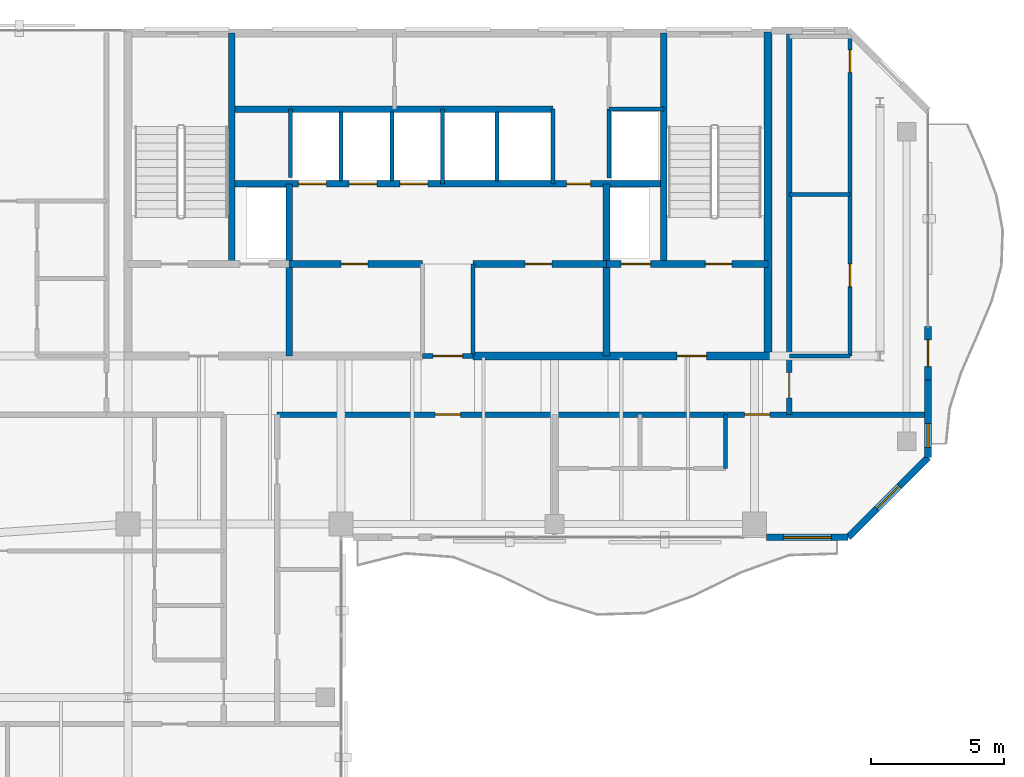
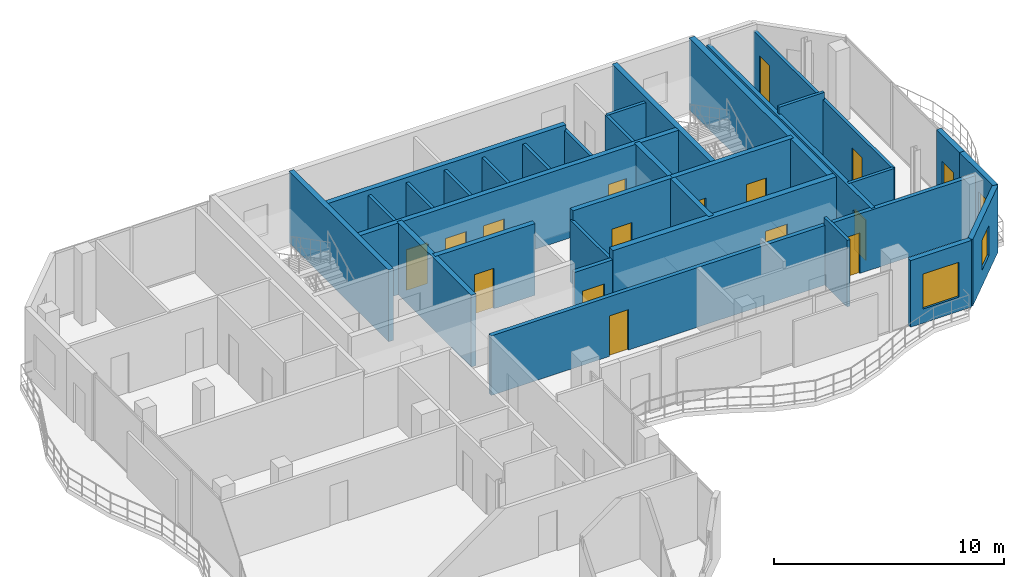
# One storey, part 19 of 22: 31 walls, 16 doors, 3 windows, 19 openings.
"""IFC4 building model written with IfcOpenShell, lengths in metres."""

from ifc_helpers import new_model, si_unit, direction, frame, frame_2d, origin, place, context, subcontext, project, spatial, rectangle, extrude, material, layer, layer_set, type_object, element, fill, save


model = new_model("IFC4")

# Units and contexts
model_context = context("Model", 3, precision=1e-05, world=origin(), true_north=direction((0.0, 1.0)))
body_context = subcontext(model_context, "Body", "Model", "MODEL_VIEW")
ifc_project = project(units=[si_unit("LENGTHUNIT", "METRE"), si_unit("AREAUNIT", "SQUARE_METRE"), si_unit("VOLUMEUNIT", "CUBIC_METRE"), si_unit("PLANEANGLEUNIT", "RADIAN"), si_unit("MASSUNIT", "GRAM", prefix="KILO")], contexts=[model_context])

# Site, building, storey
site_placement = place(None, origin())
site = spatial("IfcSite", under=ifc_project, at=site_placement, CompositionType="ELEMENT")
building_placement = place(site_placement, origin())
building = spatial("IfcBuilding", under=site, at=building_placement, Name="Catumbela Crestline Tower", CompositionType="ELEMENT")
storey_placement = place(building_placement, frame((0.0, 0.0, 260.2)))
storey = spatial("IfcBuildingStorey", under=building, at=storey_placement, Name="L67", CompositionType="ELEMENT", Elevation=260.2)

# Walls
ifc_material_1 = material(Name="Concrete C50/60", Category="concrete")
ifc_layer_1 = layer(ifc_material_1, 0.25, Name="Concrete C50/60")
ifc_layer_set_1 = layer_set([ifc_layer_1], Name="Concrete C50/60")
wall_type_1 = type_object("IfcWallType", Name="CW-250D", PredefinedType="SHEAR", material=ifc_layer_set_1)
for number, where, z_axis, x_axis, name in (
    (1, (19.9, 34.25, 0.0), (0.0, 0.0, 1.0), (0.0, 1.0, 0.0), "L67 Structural Core Shear Wall WWEB"),
    (2, (36.1, 34.25, 0.0), (0.0, 0.0, 1.0), (0.0, 1.0, 0.0), "L67 Structural Core Shear Wall EWEB"),
):
    element("IfcWall", number, at=place(storey_placement, frame(where, z_axis=z_axis, x_axis=x_axis)), inside=storey, type_object=wall_type_1, Name=name, PredefinedType="SHEAR", context=body_context, shape_type="SweptSolid", body=[
        extrude(rectangle(XDim=8.65, YDim=0.25, at=frame_2d((4.325, 0.0))), origin(), (0.0, 0.0, 1.0), 3.8),
    ])
for number, where, z_axis, x_axis, name in (
    (3, (22.05, 30.8, 0.0), (0.0, 0.0, 1.0), (0.0, 1.0, 0.0), "L67 Structural Core Shear Wall FFW"),
    (4, (33.95, 30.8, 0.0), (0.0, 0.0, 1.0), (0.0, 1.0, 0.0), "L67 Structural Core Shear Wall FFE"),
):
    element("IfcWall", number, at=place(storey_placement, frame(where, z_axis=z_axis, x_axis=x_axis)), inside=storey, type_object=wall_type_1, Name=name, PredefinedType="SHEAR", context=body_context, shape_type="SweptSolid", body=[
        extrude(rectangle(XDim=6.45, YDim=0.25, at=frame_2d((3.225, 0.0))), origin(), (0.0, 0.0, 1.0), 3.8),
    ])

# Wall, openings, doors
wall_1_placement = place(storey_placement, frame((33.95, 34.25, 0.0), z_axis=(0.0, 0.0, 1.0), x_axis=(1.0, 0.0, 0.0)))
wall_1 = element("IfcWall", 5, at=wall_1_placement, inside=storey, type_object=wall_type_1, Name="L67 Structural Core Shear Wall ST2S", PredefinedType="SHEAR", context=body_context, shape_type="SweptSolid", body=[
    extrude(rectangle(XDim=6.05, YDim=0.25, at=frame_2d((3.025, 0.0))), origin(), (0.0, 0.0, 1.0), 3.8),
])
opening_1_placement = place(wall_1_placement, frame((3.7, 0.0, 0.0)))
opening_1 = element("IfcOpeningElement", 6, at=opening_1_placement, cuts=wall_1, Name="Opening DF9-100", PredefinedType="OPENING", context=body_context, shape_type="SweptSolid", body=[
    extrude(rectangle(XDim=1.0, YDim=2.15, at=frame_2d((0.5, 1.075))), frame((0.0, 0.135, 0.0), z_axis=(0.0, -1.0, 0.0), x_axis=(1.0, 0.0, 0.0)), (0.0, 0.0, 1.0), 0.27),
])
opening_2_placement = place(wall_1_placement, frame((0.55, 0.0, 0.0)))
opening_2 = element("IfcOpeningElement", 7, at=opening_2_placement, cuts=wall_1, Name="Opening LD-110", PredefinedType="OPENING", context=body_context, shape_type="SweptSolid", body=[
    extrude(rectangle(XDim=1.1, YDim=2.15, at=frame_2d((0.55, 1.075))), frame((0.0, 0.135, 0.0), z_axis=(0.0, -1.0, 0.0), x_axis=(1.0, 0.0, 0.0)), (0.0, 0.0, 1.0), 0.27),
])
ifc_material_2 = material(Name="Stainless steel EN 1.4401", Category="steel")
door_type_1 = type_object("IfcDoorType", Name="DF9-100", OperationType="NOTDEFINED", PredefinedType="DOOR", material=ifc_material_2)
door_1_placement = place(opening_1_placement, origin())
door_1 = element("IfcDoor", 8, at=door_1_placement, inside=storey, type_object=door_type_1, Name="L67 Interior Door DR-L67-ST02", OperationType="SINGLE_SWING_RIGHT", OverallHeight=2.15, OverallWidth=1.0, PredefinedType="DOOR", context=body_context, shape_type="SweptSolid", body=[
    extrude(rectangle(XDim=1.0, YDim=2.15, at=frame_2d((0.5, 1.075))), frame((0.0, 0.025, 0.0), z_axis=(0.0, -1.0, 0.0), x_axis=(1.0, 0.0, 0.0)), (0.0, 0.0, 1.0), 0.05),
])
fill(opening_1, door_1)
door_type_2 = type_object("IfcDoorType", Name="LD-110", OperationType="NOTDEFINED", PredefinedType="DOOR", material=ifc_material_2)
door_2_placement = place(opening_2_placement, origin())
door_2 = element("IfcDoor", 9, at=door_2_placement, inside=storey, type_object=door_type_2, Name="L67 Lift Landing Sliding Door FL-02", OperationType="DOUBLE_DOOR_SLIDING", OverallHeight=2.15, OverallWidth=1.1, PredefinedType="DOOR", context=body_context, shape_type="SweptSolid", body=[
    extrude(rectangle(XDim=1.1, YDim=2.15, at=frame_2d((0.55, 1.075))), frame((0.0, 0.025, 0.0), z_axis=(0.0, -1.0, 0.0), x_axis=(1.0, 0.0, 0.0)), (0.0, 0.0, 1.0), 0.05),
])
fill(opening_2, door_2)

# Wall, opening, door
wall_2_placement = place(storey_placement, frame((22.05, 34.25, 0.0), z_axis=(0.0, 0.0, 1.0), x_axis=(1.0, 0.0, 0.0)))
wall_2 = element("IfcWall", 10, at=wall_2_placement, inside=storey, type_object=wall_type_1, Name="L67 Structural Core Shear Wall LIFTS-W", PredefinedType="SHEAR", context=body_context, shape_type="SweptSolid", body=[
    extrude(rectangle(XDim=5.0, YDim=0.25, at=frame_2d((2.5, 0.0))), origin(), (0.0, 0.0, 1.0), 3.8),
])
opening_3_placement = place(wall_2_placement, frame((1.95, 0.0, 0.0)))
opening_3 = element("IfcOpeningElement", 11, at=opening_3_placement, cuts=wall_2, Name="Opening DF9-100", PredefinedType="OPENING", context=body_context, shape_type="SweptSolid", body=[
    extrude(rectangle(XDim=1.0, YDim=2.15, at=frame_2d((0.5, 1.075))), frame((0.0, 0.135, 0.0), z_axis=(0.0, -1.0, 0.0), x_axis=(1.0, 0.0, 0.0)), (0.0, 0.0, 1.0), 0.27),
])
door_3_placement = place(opening_3_placement, origin())
door_3 = element("IfcDoor", 12, at=door_3_placement, inside=storey, type_object=door_type_1, Name="L67 Interior Door DR-L67-RECL1", OperationType="SINGLE_SWING_LEFT", OverallHeight=2.15, OverallWidth=1.0, PredefinedType="DOOR", context=body_context, shape_type="SweptSolid", body=[
    extrude(rectangle(XDim=1.0, YDim=2.15, at=frame_2d((0.5, 1.075))), frame((0.0, 0.025, 0.0), z_axis=(0.0, -1.0, 0.0), x_axis=(1.0, 0.0, 0.0)), (0.0, 0.0, 1.0), 0.05),
])
fill(opening_3, door_3)

wall_3_placement = place(storey_placement, frame((28.95, 34.25, 0.0), z_axis=(0.0, 0.0, 1.0), x_axis=(1.0, 0.0, 0.0)))
wall_3 = element("IfcWall", 13, at=wall_3_placement, inside=storey, type_object=wall_type_1, Name="L67 Structural Core Shear Wall LIFTS-E", PredefinedType="SHEAR", context=body_context, shape_type="SweptSolid", body=[
    extrude(rectangle(XDim=5.0, YDim=0.25, at=frame_2d((2.5, 0.0))), origin(), (0.0, 0.0, 1.0), 3.8),
])
opening_4_placement = place(wall_3_placement, frame((1.95, 0.0, 0.0)))
opening_4 = element("IfcOpeningElement", 14, at=opening_4_placement, cuts=wall_3, Name="Opening DF9-100", PredefinedType="OPENING", context=body_context, shape_type="SweptSolid", body=[
    extrude(rectangle(XDim=1.0, YDim=2.15, at=frame_2d((0.5, 1.075))), frame((0.0, 0.135, 0.0), z_axis=(0.0, -1.0, 0.0), x_axis=(1.0, 0.0, 0.0)), (0.0, 0.0, 1.0), 0.27),
])
door_4_placement = place(opening_4_placement, origin())
door_4 = element("IfcDoor", 15, at=door_4_placement, inside=storey, type_object=door_type_1, Name="L67 Interior Door DR-L67-RECL2", OperationType="SINGLE_SWING_RIGHT", OverallHeight=2.15, OverallWidth=1.0, PredefinedType="DOOR", context=body_context, shape_type="SweptSolid", body=[
    extrude(rectangle(XDim=1.0, YDim=2.15, at=frame_2d((0.5, 1.075))), frame((0.0, 0.025, 0.0), z_axis=(0.0, -1.0, 0.0), x_axis=(1.0, 0.0, 0.0)), (0.0, 0.0, 1.0), 0.05),
])
fill(opening_4, door_4)

# Wall, openings, doors
wall_4_placement = place(storey_placement, frame((19.9, 37.25, 0.0), z_axis=(0.0, 0.0, 1.0), x_axis=(1.0, 0.0, 0.0)))
wall_4 = element("IfcWall", 16, at=wall_4_placement, inside=storey, type_object=wall_type_1, Name="L67 Structural Core Shear Wall LIFTN", PredefinedType="SHEAR", context=body_context, shape_type="SweptSolid", body=[
    extrude(rectangle(XDim=16.2, YDim=0.25, at=frame_2d((8.1, 0.0))), origin(), (0.0, 0.0, 1.0), 3.8),
])
opening_5_placement = place(wall_4_placement, frame((12.55, 0.0, 0.0)))
opening_5 = element("IfcOpeningElement", 17, at=opening_5_placement, cuts=wall_4, Name="Opening DF9-090", PredefinedType="OPENING", context=body_context, shape_type="SweptSolid", body=[
    extrude(rectangle(XDim=0.9, YDim=2.15, at=frame_2d((0.45, 1.075))), frame((0.0, 0.135, 0.0), z_axis=(0.0, -1.0, 0.0), x_axis=(1.0, 0.0, 0.0)), (0.0, 0.0, 1.0), 0.27),
])
opening_6_placement = place(wall_4_placement, frame((2.5, 0.0, 0.0)))
opening_6 = element("IfcOpeningElement", 18, at=opening_6_placement, cuts=wall_4, Name="Opening LD-105", PredefinedType="OPENING", context=body_context, shape_type="SweptSolid", body=[
    extrude(rectangle(XDim=1.05, YDim=2.15, at=frame_2d((0.525, 1.075))), frame((0.0, 0.135, 0.0), z_axis=(0.0, -1.0, 0.0), x_axis=(1.0, 0.0, 0.0)), (0.0, 0.0, 1.0), 0.27),
])
opening_7_placement = place(wall_4_placement, frame((4.4, 0.0, 0.0)))
opening_7 = element("IfcOpeningElement", 19, at=opening_7_placement, cuts=wall_4, Name="Opening LD-105", PredefinedType="OPENING", context=body_context, shape_type="SweptSolid", body=[
    extrude(rectangle(XDim=1.05, YDim=2.15, at=frame_2d((0.525, 1.075))), frame((0.0, 0.135, 0.0), z_axis=(0.0, -1.0, 0.0), x_axis=(1.0, 0.0, 0.0)), (0.0, 0.0, 1.0), 0.27),
])
opening_8_placement = place(wall_4_placement, frame((6.3, 0.0, 0.0)))
opening_8 = element("IfcOpeningElement", 20, at=opening_8_placement, cuts=wall_4, Name="Opening LD-105", PredefinedType="OPENING", context=body_context, shape_type="SweptSolid", body=[
    extrude(rectangle(XDim=1.05, YDim=2.15, at=frame_2d((0.525, 1.075))), frame((0.0, 0.135, 0.0), z_axis=(0.0, -1.0, 0.0), x_axis=(1.0, 0.0, 0.0)), (0.0, 0.0, 1.0), 0.27),
])
door_type_3 = type_object("IfcDoorType", Name="DF9-090", OperationType="NOTDEFINED", PredefinedType="DOOR", material=ifc_material_2)
door_5_placement = place(opening_5_placement, origin())
door_5 = element("IfcDoor", 21, at=door_5_placement, inside=storey, type_object=door_type_3, Name="L67 Interior Door DR-L67-CPAS1", OperationType="SINGLE_SWING_LEFT", OverallHeight=2.15, OverallWidth=0.9, PredefinedType="DOOR", context=body_context, shape_type="SweptSolid", body=[
    extrude(rectangle(XDim=0.9, YDim=2.15, at=frame_2d((0.45, 1.075))), frame((0.0, 0.025, 0.0), z_axis=(0.0, -1.0, 0.0), x_axis=(1.0, 0.0, 0.0)), (0.0, 0.0, 1.0), 0.05),
])
fill(opening_5, door_5)
door_type_4 = type_object("IfcDoorType", Name="LD-105", OperationType="NOTDEFINED", PredefinedType="DOOR", material=ifc_material_2)
door_6_placement = place(opening_6_placement, origin())
door_6 = element("IfcDoor", 22, at=door_6_placement, inside=storey, type_object=door_type_4, Name="L67 Lift Landing Sliding Door PL-H1", OperationType="DOUBLE_DOOR_SLIDING", OverallHeight=2.15, OverallWidth=1.05, PredefinedType="DOOR", context=body_context, shape_type="SweptSolid", body=[
    extrude(rectangle(XDim=1.05, YDim=2.15, at=frame_2d((0.525, 1.075))), frame((0.0, 0.025, 0.0), z_axis=(0.0, -1.0, 0.0), x_axis=(1.0, 0.0, 0.0)), (0.0, 0.0, 1.0), 0.05),
])
fill(opening_6, door_6)
door_7_placement = place(opening_7_placement, origin())
door_7 = element("IfcDoor", 23, at=door_7_placement, inside=storey, type_object=door_type_4, Name="L67 Lift Landing Sliding Door PL-H2", OperationType="DOUBLE_DOOR_SLIDING", OverallHeight=2.15, OverallWidth=1.05, PredefinedType="DOOR", context=body_context, shape_type="SweptSolid", body=[
    extrude(rectangle(XDim=1.05, YDim=2.15, at=frame_2d((0.525, 1.075))), frame((0.0, 0.025, 0.0), z_axis=(0.0, -1.0, 0.0), x_axis=(1.0, 0.0, 0.0)), (0.0, 0.0, 1.0), 0.05),
])
fill(opening_7, door_7)
door_8_placement = place(opening_8_placement, origin())
door_8 = element("IfcDoor", 24, at=door_8_placement, inside=storey, type_object=door_type_4, Name="L67 Lift Landing Sliding Door PL-H3", OperationType="DOUBLE_DOOR_SLIDING", OverallHeight=2.15, OverallWidth=1.05, PredefinedType="DOOR", context=body_context, shape_type="SweptSolid", body=[
    extrude(rectangle(XDim=1.05, YDim=2.15, at=frame_2d((0.525, 1.075))), frame((0.0, 0.025, 0.0), z_axis=(0.0, -1.0, 0.0), x_axis=(1.0, 0.0, 0.0)), (0.0, 0.0, 1.0), 0.05),
])
fill(opening_8, door_8)

# Walls
wall_5_placement = place(storey_placement, frame((19.9, 40.05, 0.0), z_axis=(0.0, 0.0, 1.0), x_axis=(1.0, 0.0, 0.0)))
element("IfcWall", 25, at=wall_5_placement, inside=storey, type_object=wall_type_1, Name="L67 Structural Core Shear Wall COREN", PredefinedType="SHEAR", context=body_context, shape_type="SweptSolid", body=[
    extrude(rectangle(XDim=12.05, YDim=0.25, at=frame_2d((6.025, 0.0))), origin(), (0.0, 0.0, 1.0), 3.8),
])
ifc_material_3 = material(Name="Concrete C45/55", Category="concrete")
ifc_layer_2 = layer(ifc_material_3, 0.3, Name="Concrete C45/55")
ifc_layer_set_2 = layer_set([ifc_layer_2], Name="Concrete C45/55")
wall_type_2 = type_object("IfcWallType", Name="CW-300C", PredefinedType="SHEAR", material=ifc_layer_set_2)
wall_6_placement = place(storey_placement, frame((40.0, 30.65, 0.0), z_axis=(0.0, 0.0, 1.0), x_axis=(0.0, 1.0, 0.0)))
element("IfcWall", 26, at=wall_6_placement, inside=storey, type_object=wall_type_2, Name="L67 Structural Core Shear Wall E", PredefinedType="SHEAR", context=body_context, shape_type="SweptSolid", body=[
    extrude(rectangle(XDim=12.3, YDim=0.3, at=frame_2d((6.15, 0.0))), origin(), (0.0, 0.0, 1.0), 3.8),
])

# Wall, opening, door
wall_7_placement = place(storey_placement, frame((28.95, 30.8, 0.0), z_axis=(0.0, 0.0, 1.0), x_axis=(1.0, 0.0, 0.0)))
wall_7 = element("IfcWall", 27, at=wall_7_placement, inside=storey, type_object=wall_type_2, Name="L67 Structural Core Shear Wall SE", PredefinedType="SHEAR", context=body_context, shape_type="SweptSolid", body=[
    extrude(rectangle(XDim=11.2, YDim=0.3, at=frame_2d((5.6, 0.0))), origin(), (0.0, 0.0, 1.0), 3.8),
])
opening_9_placement = place(wall_7_placement, frame((7.65, 0.0, 0.0)))
opening_9 = element("IfcOpeningElement", 28, at=opening_9_placement, cuts=wall_7, Name="Opening DF9-110", PredefinedType="OPENING", context=body_context, shape_type="SweptSolid", body=[
    extrude(rectangle(XDim=1.1, YDim=2.15, at=frame_2d((0.55, 1.075))), frame((0.0, 0.16, 0.0), z_axis=(0.0, -1.0, 0.0), x_axis=(1.0, 0.0, 0.0)), (0.0, 0.0, 1.0), 0.32),
])
door_type_5 = type_object("IfcDoorType", Name="DF9-110", OperationType="NOTDEFINED", PredefinedType="DOOR", material=ifc_material_2)
door_9_placement = place(opening_9_placement, origin())
door_9 = element("IfcDoor", 29, at=door_9_placement, inside=storey, type_object=door_type_5, Name="L67 Interior Door DR-L67-FFE-S", OperationType="SINGLE_SWING_RIGHT", OverallHeight=2.15, OverallWidth=1.1, PredefinedType="DOOR", context=body_context, shape_type="SweptSolid", body=[
    extrude(rectangle(XDim=1.1, YDim=2.15, at=frame_2d((0.55, 1.075))), frame((0.0, 0.025, 0.0), z_axis=(0.0, -1.0, 0.0), x_axis=(1.0, 0.0, 0.0)), (0.0, 0.0, 1.0), 0.05),
])
fill(opening_9, door_9)

ifc_material_4 = material(Name="Acoustic gypsum and mineral-wool partition")
ifc_layer_3 = layer(ifc_material_4, 0.2, Name="Acoustic gypsum and mineral-wool partition")
ifc_layer_set_3 = layer_set([ifc_layer_3], Name="Acoustic gypsum and mineral-wool partition")
wall_type_3 = type_object("IfcWallType", Name="WC-200", PredefinedType="PARTITIONING", material=ifc_layer_set_3)
wall_8_placement = place(storey_placement, frame((27.05, 30.8, 0.0), z_axis=(0.0, 0.0, 1.0), x_axis=(1.0, 0.0, 0.0)))
wall_8 = element("IfcWall", 30, at=wall_8_placement, inside=storey, type_object=wall_type_3, Name="L67 Interior Partition PW-L67-CLOBS", PredefinedType="PARTITIONING", context=body_context, shape_type="SweptSolid", body=[
    extrude(rectangle(XDim=1.9, YDim=0.2, at=frame_2d((0.95, 0.0))), origin(), (0.0, 0.0, 1.0), 3.28),
])
opening_10_placement = place(wall_8_placement, frame((0.4, 0.0, 0.0)))
opening_10 = element("IfcOpeningElement", 31, at=opening_10_placement, cuts=wall_8, Name="Opening DF9-110", PredefinedType="OPENING", context=body_context, shape_type="SweptSolid", body=[
    extrude(rectangle(XDim=1.1, YDim=2.15, at=frame_2d((0.55, 1.075))), frame((0.0, 0.11, 0.0), z_axis=(0.0, -1.0, 0.0), x_axis=(1.0, 0.0, 0.0)), (0.0, 0.0, 1.0), 0.22),
])
door_10_placement = place(opening_10_placement, origin())
door_10 = element("IfcDoor", 32, at=door_10_placement, inside=storey, type_object=door_type_5, Name="L67 Interior Door DR-L67-CLOBS", OperationType="SINGLE_SWING_LEFT", OverallHeight=2.15, OverallWidth=1.1, PredefinedType="DOOR", context=body_context, shape_type="SweptSolid", body=[
    extrude(rectangle(XDim=1.1, YDim=2.15, at=frame_2d((0.55, 1.075))), frame((0.0, 0.025, 0.0), z_axis=(0.0, -1.0, 0.0), x_axis=(1.0, 0.0, 0.0)), (0.0, 0.0, 1.0), 0.05),
])
fill(opening_10, door_10)

# Wall, openings, doors
wall_9_placement = place(storey_placement, frame((21.6, 28.6, 0.0), z_axis=(0.0, 0.0, 1.0), x_axis=(1.0, 0.0, 0.0)))
wall_9 = element("IfcWall", 33, at=wall_9_placement, inside=storey, type_object=wall_type_3, Name="L67 Interior Partition PW-L67-RCWR", PredefinedType="PARTITIONING", context=body_context, shape_type="SweptSolid", body=[
    extrude(rectangle(XDim=24.3, YDim=0.2, at=frame_2d((12.15, 0.0))), origin(), (0.0, 0.0, 1.0), 3.16),
])
opening_11_placement = place(wall_9_placement, frame((5.925, 0.0, 0.0)))
opening_11 = element("IfcOpeningElement", 34, at=opening_11_placement, cuts=wall_9, Name="Opening DF6-095", PredefinedType="OPENING", context=body_context, shape_type="SweptSolid", body=[
    extrude(rectangle(XDim=0.95, YDim=2.15, at=frame_2d((0.475, 1.075))), frame((0.0, 0.11, 0.0), z_axis=(0.0, -1.0, 0.0), x_axis=(1.0, 0.0, 0.0)), (0.0, 0.0, 1.0), 0.22),
])
opening_12_placement = place(wall_9_placement, frame((17.525, 0.0, 0.0)))
opening_12 = element("IfcOpeningElement", 35, at=opening_12_placement, cuts=wall_9, Name="Opening DF6-095", PredefinedType="OPENING", context=body_context, shape_type="SweptSolid", body=[
    extrude(rectangle(XDim=0.95, YDim=2.15, at=frame_2d((0.475, 1.075))), frame((0.0, 0.11, 0.0), z_axis=(0.0, -1.0, 0.0), x_axis=(1.0, 0.0, 0.0)), (0.0, 0.0, 1.0), 0.22),
])
ifc_material_5 = material(Name="Aluminium alloy AW-6060-T66", Category="aluminium")
door_type_6 = type_object("IfcDoorType", Name="DF6-095", OperationType="NOTDEFINED", PredefinedType="DOOR", material=ifc_material_5)
door_11_placement = place(opening_11_placement, origin())
door_11 = element("IfcDoor", 36, at=door_11_placement, inside=storey, type_object=door_type_6, Name="L67 Interior Door DR-L67-Z4G3O-ENT", OperationType="SINGLE_SWING_RIGHT", OverallHeight=2.15, OverallWidth=0.95, PredefinedType="DOOR", context=body_context, shape_type="SweptSolid", body=[
    extrude(rectangle(XDim=0.95, YDim=2.15, at=frame_2d((0.475, 1.075))), frame((0.0, 0.025, 0.0), z_axis=(0.0, -1.0, 0.0), x_axis=(1.0, 0.0, 0.0)), (0.0, 0.0, 1.0), 0.05),
])
fill(opening_11, door_11)
door_12_placement = place(opening_12_placement, origin())
door_12 = element("IfcDoor", 37, at=door_12_placement, inside=storey, type_object=door_type_6, Name="L67 Interior Door DR-L67-S2-ENT", OperationType="SINGLE_SWING_RIGHT", OverallHeight=2.15, OverallWidth=0.95, PredefinedType="DOOR", context=body_context, shape_type="SweptSolid", body=[
    extrude(rectangle(XDim=0.95, YDim=2.15, at=frame_2d((0.475, 1.075))), frame((0.0, 0.025, 0.0), z_axis=(0.0, -1.0, 0.0), x_axis=(1.0, 0.0, 0.0)), (0.0, 0.0, 1.0), 0.05),
])
fill(opening_12, door_12)

# Wall, opening, door
wall_10_placement = place(storey_placement, frame((40.8, 28.6, 0.0), z_axis=(0.0, 0.0, 1.0), x_axis=(0.0, 1.0, 0.0)))
wall_10 = element("IfcWall", 38, at=wall_10_placement, inside=storey, type_object=wall_type_3, Name="L67 Interior Partition PW-L67-NE1-ENT", PredefinedType="PARTITIONING", context=body_context, shape_type="SweptSolid", body=[
    extrude(rectangle(XDim=14.3, YDim=0.2, at=frame_2d((7.15, 0.0))), origin(), (0.0, 0.0, 1.0), 3.16),
])
opening_13_placement = place(wall_10_placement, frame((0.625, 0.0, 0.0)))
opening_13 = element("IfcOpeningElement", 39, at=opening_13_placement, cuts=wall_10, Name="Opening DF6-095", PredefinedType="OPENING", context=body_context, shape_type="SweptSolid", body=[
    extrude(rectangle(XDim=0.95, YDim=2.15, at=frame_2d((0.475, 1.075))), frame((0.0, 0.11, 0.0), z_axis=(0.0, -1.0, 0.0), x_axis=(1.0, 0.0, 0.0)), (0.0, 0.0, 1.0), 0.22),
])
door_13_placement = place(opening_13_placement, origin())
door_13 = element("IfcDoor", 40, at=door_13_placement, inside=storey, type_object=door_type_6, Name="L67 Interior Door DR-L67-NE1-ENT", OperationType="SINGLE_SWING_LEFT", OverallHeight=2.15, OverallWidth=0.95, PredefinedType="DOOR", context=body_context, shape_type="SweptSolid", body=[
    extrude(rectangle(XDim=0.95, YDim=2.15, at=frame_2d((0.475, 1.075))), frame((0.0, 0.025, 0.0), z_axis=(0.0, -1.0, 0.0), x_axis=(1.0, 0.0, 0.0)), (0.0, 0.0, 1.0), 0.05),
])
fill(opening_13, door_13)

# Wall, opening, window
ifc_material_6 = material(Name="Angolan grey-ochre granite", Category="masonry")
ifc_layer_4 = layer(ifc_material_6, 0.25, Name="Angolan grey-ochre granite")
ifc_layer_set_4 = layer_set([ifc_layer_4], Name="Angolan grey-ochre granite")
wall_type_4 = type_object("IfcWallType", Name="WE-250", PredefinedType="STANDARD", material=ifc_layer_set_4)
wall_11_placement = place(storey_placement, frame((39.95, 24.0, 0.0), z_axis=(0.0, 0.0, 1.0), x_axis=(1.0, 0.0, 0.0)))
wall_11 = element("IfcWall", 41, at=wall_11_placement, inside=storey, type_object=wall_type_4, Name="L67 Granite Punched Window Wall 3-3", PredefinedType="STANDARD", context=body_context, shape_type="SweptSolid", body=[
    extrude(rectangle(XDim=3.05, YDim=0.25, at=frame_2d((1.525, 0.0))), origin(), (0.0, 0.0, 1.0), 3.53),
])
opening_14_placement = place(wall_11_placement, frame((0.625, 0.0, 0.75)))
opening_14 = element("IfcOpeningElement", 42, at=opening_14_placement, cuts=wall_11, Name="Opening WN-01", PredefinedType="OPENING", context=body_context, shape_type="SweptSolid", body=[
    extrude(rectangle(XDim=1.8, YDim=1.85, at=frame_2d((0.9, 0.925))), frame((0.0, 0.135, 0.0), z_axis=(0.0, -1.0, 0.0), x_axis=(1.0, 0.0, 0.0)), (0.0, 0.0, 1.0), 0.27),
])
ifc_material_7 = material(Name="Low-E laminated solar-control double glazing", Category="glass")
window_type_1 = type_object("IfcWindowType", Name="WF-1800", PartitioningType="SINGLE_PANEL", PredefinedType="WINDOW", material=ifc_material_7)
window_1_placement = place(opening_14_placement, origin())
window_1 = element("IfcWindow", 43, at=window_1_placement, inside=storey, type_object=window_type_1, Name="L67 Facade Vision Window 521", OverallHeight=1.85, OverallWidth=1.8, PartitioningType="SINGLE_PANEL", PredefinedType="WINDOW", context=body_context, shape_type="SweptSolid", body=[
    extrude(rectangle(XDim=1.8, YDim=1.85, at=frame_2d((0.9, 0.925))), frame((0.0, 0.03, 0.0), z_axis=(0.0, -1.0, 0.0), x_axis=(1.0, 0.0, 0.0)), (0.0, 0.0, 1.0), 0.06),
])
fill(opening_14, window_1)

wall_12_placement = place(storey_placement, frame((43.0, 24.0, 0.0), z_axis=(0.0, 0.0, 1.0), x_axis=(0.707106781187, 0.707106781187, 0.0)))
wall_12 = element("IfcWall", 44, at=wall_12_placement, inside=storey, type_object=wall_type_4, Name="L67 Granite Punched Window Wall 4-1", PredefinedType="STANDARD", context=body_context, shape_type="SweptSolid", body=[
    extrude(rectangle(XDim=4.2426, YDim=0.25, at=frame_2d((2.1213, 0.0))), origin(), (0.0, 0.0, 1.0), 3.53),
])
opening_15_placement = place(wall_12_placement, frame((1.5213, 0.0, 0.85)))
opening_15 = element("IfcOpeningElement", 45, at=opening_15_placement, cuts=wall_12, Name="Opening WN-02", PredefinedType="OPENING", context=body_context, shape_type="SweptSolid", body=[
    extrude(rectangle(XDim=1.2, YDim=1.6, at=frame_2d((0.6, 0.8))), frame((0.0, 0.135, 0.0), z_axis=(0.0, -1.0, 0.0), x_axis=(1.0, 0.0, 0.0)), (0.0, 0.0, 1.0), 0.27),
])
window_type_2 = type_object("IfcWindowType", Name="WO-1200", PartitioningType="SINGLE_PANEL", PredefinedType="WINDOW", material=ifc_material_7)
window_2_placement = place(opening_15_placement, origin())
window_2 = element("IfcWindow", 46, at=window_2_placement, inside=storey, type_object=window_type_2, Name="L67 Facade Vision Window 522", OverallHeight=1.6, OverallWidth=1.2, PartitioningType="SINGLE_PANEL", PredefinedType="WINDOW", context=body_context, shape_type="SweptSolid", body=[
    extrude(rectangle(XDim=1.2, YDim=1.6, at=frame_2d((0.6, 0.8))), frame((0.0, 0.03, 0.0), z_axis=(0.0, -1.0, 0.0), x_axis=(1.0, 0.0, 0.0)), (0.0, 0.0, 1.0), 0.06),
])
fill(opening_15, window_2)

# Wall, opening, door
wall_13_placement = place(storey_placement, frame((46.0, 29.9, 0.0), z_axis=(0.0, 0.0, 1.0), x_axis=(0.0, 1.0, 0.0)))
wall_13 = element("IfcWall", 47, at=wall_13_placement, inside=storey, type_object=wall_type_4, Name="L67 Exterior Threshold Portal Wall DR-L67-WBAL-2", PredefinedType="STANDARD", context=body_context, shape_type="SweptSolid", body=[
    extrude(rectangle(XDim=2.0, YDim=0.25, at=frame_2d((1.0, 0.0))), origin(), (0.0, 0.0, 1.0), 3.53),
])
opening_16_placement = place(wall_13_placement, frame((0.5, 0.0, 0.0)))
opening_16 = element("IfcOpeningElement", 48, at=opening_16_placement, cuts=wall_13, Name="Opening DB-L67-2", PredefinedType="OPENING", context=body_context, shape_type="SweptSolid", body=[
    extrude(rectangle(XDim=1.0, YDim=2.15, at=frame_2d((0.5, 1.075))), frame((0.0, 0.135, 0.0), z_axis=(0.0, -1.0, 0.0), x_axis=(1.0, 0.0, 0.0)), (0.0, 0.0, 1.0), 0.27),
])
door_type_7 = type_object("IfcDoorType", Name="DB-1000", OperationType="NOTDEFINED", PredefinedType="DOOR", material=ifc_material_5)
door_14_placement = place(opening_16_placement, origin())
door_14 = element("IfcDoor", 49, at=door_14_placement, inside=storey, type_object=door_type_7, Name="L67 Wave Balcony Terrace Door 2", OperationType="SINGLE_SWING_RIGHT", OverallHeight=2.15, OverallWidth=1.0, PredefinedType="DOOR", context=body_context, shape_type="SweptSolid", body=[
    extrude(rectangle(XDim=1.0, YDim=2.15, at=frame_2d((0.5, 1.075))), frame((0.0, 0.025, 0.0), z_axis=(0.0, -1.0, 0.0), x_axis=(1.0, 0.0, 0.0)), (0.0, 0.0, 1.0), 0.05),
])
fill(opening_16, door_14)

# Wall, opening, window
wall_14_placement = place(storey_placement, frame((46.0, 27.0, 0.0), z_axis=(0.0, 0.0, 1.0), x_axis=(0.0, 1.0, 0.0)))
wall_14 = element("IfcWall", 50, at=wall_14_placement, inside=storey, type_object=wall_type_4, Name="L67 Granite Punched Window Wall 5-1", PredefinedType="STANDARD", context=body_context, shape_type="SweptSolid", body=[
    extrude(rectangle(XDim=2.9, YDim=0.25, at=frame_2d((1.45, 0.0))), origin(), (0.0, 0.0, 1.0), 3.53),
])
opening_17_placement = place(wall_14_placement, frame((0.36, 0.0, 0.9)))
opening_17 = element("IfcOpeningElement", 51, at=opening_17_placement, cuts=wall_14, Name="Opening WN-03", PredefinedType="OPENING", context=body_context, shape_type="SweptSolid", body=[
    extrude(rectangle(XDim=0.9, YDim=1.55, at=frame_2d((0.45, 0.775))), frame((0.0, 0.135, 0.0), z_axis=(0.0, -1.0, 0.0), x_axis=(1.0, 0.0, 0.0)), (0.0, 0.0, 1.0), 0.27),
])
window_type_3 = type_object("IfcWindowType", Name="WO-0900", PartitioningType="SINGLE_PANEL", PredefinedType="WINDOW", material=ifc_material_7)
window_3_placement = place(opening_17_placement, origin())
window_3 = element("IfcWindow", 52, at=window_3_placement, inside=storey, type_object=window_type_3, Name="L67 Facade Vision Window 523", OverallHeight=1.55, OverallWidth=0.9, PartitioningType="SINGLE_PANEL", PredefinedType="WINDOW", context=body_context, shape_type="SweptSolid", body=[
    extrude(rectangle(XDim=0.9, YDim=1.55, at=frame_2d((0.45, 0.775))), frame((0.0, 0.03, 0.0), z_axis=(0.0, -1.0, 0.0), x_axis=(1.0, 0.0, 0.0)), (0.0, 0.0, 1.0), 0.06),
])
fill(opening_17, window_3)

# Walls
ifc_layer_5 = layer(ifc_material_4, 0.15, Name="Acoustic gypsum and mineral-wool partition")
ifc_layer_set_5 = layer_set([ifc_layer_5], Name="Acoustic gypsum and mineral-wool partition")
wall_type_5 = type_object("IfcWallType", Name="WP-150", PredefinedType="PARTITIONING", material=ifc_layer_set_5)
wall_15_placement = place(storey_placement, frame((34.05, 40.05, 0.0), z_axis=(0.0, 0.0, 1.0), x_axis=(1.0, 0.0, 0.0)))
element("IfcWall", 53, at=wall_15_placement, inside=storey, type_object=wall_type_5, Name="L67 Interior Partition PW-L67-CR-ES", PredefinedType="PARTITIONING", context=body_context, shape_type="SweptSolid", body=[
    extrude(rectangle(XDim=2.05, YDim=0.15, at=frame_2d((1.025, 0.0))), origin(), (0.0, 0.0, 1.0), 3.53),
])
wall_16_placement = place(storey_placement, frame((40.8, 30.8, 0.0), z_axis=(0.0, 0.0, 1.0), x_axis=(1.0, 0.0, 0.0)))
element("IfcWall", 54, at=wall_16_placement, inside=storey, type_object=wall_type_5, Name="L67 Interior Partition PW-L67-NE1-KBS", PredefinedType="PARTITIONING", context=body_context, shape_type="SweptSolid", body=[
    extrude(rectangle(XDim=2.28, YDim=0.15, at=frame_2d((1.14, 0.0))), origin(), (0.0, 0.0, 1.0), 3.16),
])
wall_17_placement = place(storey_placement, frame((40.8, 36.85, 0.0), z_axis=(0.0, 0.0, 1.0), x_axis=(1.0, 0.0, 0.0)))
element("IfcWall", 55, at=wall_17_placement, inside=storey, type_object=wall_type_5, Name="L67 Interior Partition PW-L67-NE1-KBM", PredefinedType="PARTITIONING", context=body_context, shape_type="SweptSolid", body=[
    extrude(rectangle(XDim=2.28, YDim=0.15, at=frame_2d((1.14, 0.0))), origin(), (0.0, 0.0, 1.0), 3.53),
])

# Wall, openings, doors
wall_18_placement = place(storey_placement, frame((43.08, 30.8, 0.0), z_axis=(0.0, 0.0, 1.0), x_axis=(0.0, 1.0, 0.0)))
wall_18 = element("IfcWall", 56, at=wall_18_placement, inside=storey, type_object=wall_type_5, Name="L67 Interior Partition PW-L67-NE1-SK1", PredefinedType="PARTITIONING", context=body_context, shape_type="SweptSolid", body=[
    extrude(rectangle(XDim=12.02, YDim=0.15, at=frame_2d((6.01, 0.0))), origin(), (0.0, 0.0, 1.0), 3.16),
])
opening_18_placement = place(wall_18_placement, frame((2.6, 0.0, 0.0)))
opening_18 = element("IfcOpeningElement", 57, at=opening_18_placement, cuts=wall_18, Name="Opening DI-085", PredefinedType="OPENING", context=body_context, shape_type="SweptSolid", body=[
    extrude(rectangle(XDim=0.85, YDim=2.15, at=frame_2d((0.425, 1.075))), frame((0.0, 0.085, 0.0), z_axis=(0.0, -1.0, 0.0), x_axis=(1.0, 0.0, 0.0)), (0.0, 0.0, 1.0), 0.17),
])
opening_19_placement = place(wall_18_placement, frame((10.6287, 0.0, 0.0)))
opening_19 = element("IfcOpeningElement", 58, at=opening_19_placement, cuts=wall_18, Name="Opening DI-085", PredefinedType="OPENING", context=body_context, shape_type="SweptSolid", body=[
    extrude(rectangle(XDim=0.85, YDim=2.15, at=frame_2d((0.425, 1.075))), frame((0.0, 0.085, 0.0), z_axis=(0.0, -1.0, 0.0), x_axis=(1.0, 0.0, 0.0)), (0.0, 0.0, 1.0), 0.17),
])
door_type_8 = type_object("IfcDoorType", Name="DI-085", OperationType="NOTDEFINED", PredefinedType="DOOR", material=ifc_material_5)
door_15_placement = place(opening_18_placement, origin())
door_15 = element("IfcDoor", 59, at=door_15_placement, inside=storey, type_object=door_type_8, Name="L67 Interior Door DR-L67-NE1-KIT", OperationType="SINGLE_SWING_LEFT", OverallHeight=2.15, OverallWidth=0.85, PredefinedType="DOOR", context=body_context, shape_type="SweptSolid", body=[
    extrude(rectangle(XDim=0.85, YDim=2.15, at=frame_2d((0.425, 1.075))), frame((0.0, 0.025, 0.0), z_axis=(0.0, -1.0, 0.0), x_axis=(1.0, 0.0, 0.0)), (0.0, 0.0, 1.0), 0.05),
])
fill(opening_18, door_15)
door_16_placement = place(opening_19_placement, origin())
door_16 = element("IfcDoor", 60, at=door_16_placement, inside=storey, type_object=door_type_8, Name="L67 Interior Door DR-L67-NE1-BTH", OperationType="SINGLE_SWING_RIGHT", OverallHeight=2.15, OverallWidth=0.85, PredefinedType="DOOR", context=body_context, shape_type="SweptSolid", body=[
    extrude(rectangle(XDim=0.85, YDim=2.15, at=frame_2d((0.425, 1.075))), frame((0.0, 0.025, 0.0), z_axis=(0.0, -1.0, 0.0), x_axis=(1.0, 0.0, 0.0)), (0.0, 0.0, 1.0), 0.05),
])
fill(opening_19, door_16)

# Walls
wall_19_placement = place(storey_placement, frame((38.4, 26.576, 0.0), z_axis=(0.0, 0.0, 1.0), x_axis=(0.0, 1.0, 0.0)))
element("IfcWall", 61, at=wall_19_placement, inside=storey, type_object=wall_type_5, Name="L67 Interior Partition PW-L67-S2-KBE", PredefinedType="PARTITIONING", context=body_context, shape_type="SweptSolid", body=[
    extrude(rectangle(XDim=2.024, YDim=0.15, at=frame_2d((1.012, 0.0))), origin(), (0.0, 0.0, 1.0), 3.53),
])
ifc_layer_6 = layer(ifc_material_4, 0.15, Name="Acoustic gypsum and mineral-wool partition")
ifc_layer_set_6 = layer_set([ifc_layer_6], Name="Acoustic gypsum and mineral-wool partition")
wall_type_6 = type_object("IfcWallType", Name="WS-150", PredefinedType="PLUMBINGWALL", material=ifc_layer_set_6)
wall_20_placement = place(storey_placement, frame((28.95, 30.8, 0.0), z_axis=(0.0, 0.0, 1.0), x_axis=(0.0, 1.0, 0.0)))
element("IfcWall", 62, at=wall_20_placement, inside=storey, type_object=wall_type_6, Name="L67 Interior Partition PW-L67-THRE", PredefinedType="PLUMBINGWALL", context=body_context, shape_type="SweptSolid", body=[
    extrude(rectangle(XDim=3.45, YDim=0.15, at=frame_2d((1.725, 0.0))), origin(), (0.0, 0.0, 1.0), 3.28),
])
wall_21_placement = place(storey_placement, frame((22.1, 37.4897, 0.0), z_axis=(0.0, 0.0, 1.0), x_axis=(0.0, 1.0, 0.0)))
element("IfcWall", 63, at=wall_21_placement, inside=storey, type_object=wall_type_6, Name="L67 Interior Partition PW-L67-SHH0", PredefinedType="PLUMBINGWALL", context=body_context, shape_type="SweptSolid", body=[
    extrude(rectangle(XDim=2.5603, YDim=0.15, at=frame_2d((1.2801, 0.0))), origin(), (0.0, 0.0, 1.0), 3.53),
])
wall_22_placement = place(storey_placement, frame((27.8, 37.25, 0.0), z_axis=(0.0, 0.0, 1.0), x_axis=(0.0, 1.0, 0.0)))
element("IfcWall", 64, at=wall_22_placement, inside=storey, type_object=wall_type_6, Name="L67 Interior Partition PW-L67-SHH3", PredefinedType="PLUMBINGWALL", context=body_context, shape_type="SweptSolid", body=[
    extrude(rectangle(XDim=2.8, YDim=0.15, at=frame_2d((1.4, 0.0))), origin(), (0.0, 0.0, 1.0), 3.53),
])
for number, where, z_axis, x_axis, name in (
    (65, (24.0, 37.35, 0.0), (0.0, 0.0, 1.0), (0.0, 1.0, 0.0), "L67 Interior Partition PW-L67-SHH1"),
    (66, (25.9, 37.35, 0.0), (0.0, 0.0, 1.0), (0.0, 1.0, 0.0), "L67 Interior Partition PW-L67-SHH2"),
):
    element("IfcWall", number, at=place(storey_placement, frame(where, z_axis=z_axis, x_axis=x_axis)), inside=storey, type_object=wall_type_6, Name=name, PredefinedType="PLUMBINGWALL", context=body_context, shape_type="SweptSolid", body=[
        extrude(rectangle(XDim=2.6, YDim=0.15, at=frame_2d((1.3, 0.0))), origin(), (0.0, 0.0, 1.0), 3.53),
    ])
wall_23_placement = place(storey_placement, frame((31.95, 37.25, 0.0), z_axis=(0.0, 0.0, 1.0), x_axis=(0.0, 1.0, 0.0)))
element("IfcWall", 67, at=wall_23_placement, inside=storey, type_object=wall_type_6, Name="L67 Interior Partition PW-L67-SHEX2E", PredefinedType="PLUMBINGWALL", context=body_context, shape_type="SweptSolid", body=[
    extrude(rectangle(XDim=2.8, YDim=0.15, at=frame_2d((1.4, 0.0))), origin(), (0.0, 0.0, 1.0), 3.53),
])
wall_24_placement = place(storey_placement, frame((29.85, 37.35, 0.0), z_axis=(0.0, 0.0, 1.0), x_axis=(0.0, 1.0, 0.0)))
element("IfcWall", 68, at=wall_24_placement, inside=storey, type_object=wall_type_6, Name="L67 Interior Partition PW-L67-SHEX1", PredefinedType="PLUMBINGWALL", context=body_context, shape_type="SweptSolid", body=[
    extrude(rectangle(XDim=2.6, YDim=0.15, at=frame_2d((1.3, 0.0))), origin(), (0.0, 0.0, 1.0), 3.53),
])
wall_25_placement = place(storey_placement, frame((34.05, 37.4734, 0.0), z_axis=(0.0, 0.0, 1.0), x_axis=(0.0, 1.0, 0.0)))
element("IfcWall", 69, at=wall_25_placement, inside=storey, type_object=wall_type_6, Name="L67 Interior Partition PW-L67-RISW", PredefinedType="PLUMBINGWALL", context=body_context, shape_type="SweptSolid", body=[
    extrude(rectangle(XDim=2.5766, YDim=0.15, at=frame_2d((1.2883, 0.0))), origin(), (0.0, 0.0, 1.0), 3.53),
])

save(model, "model.ifc")
